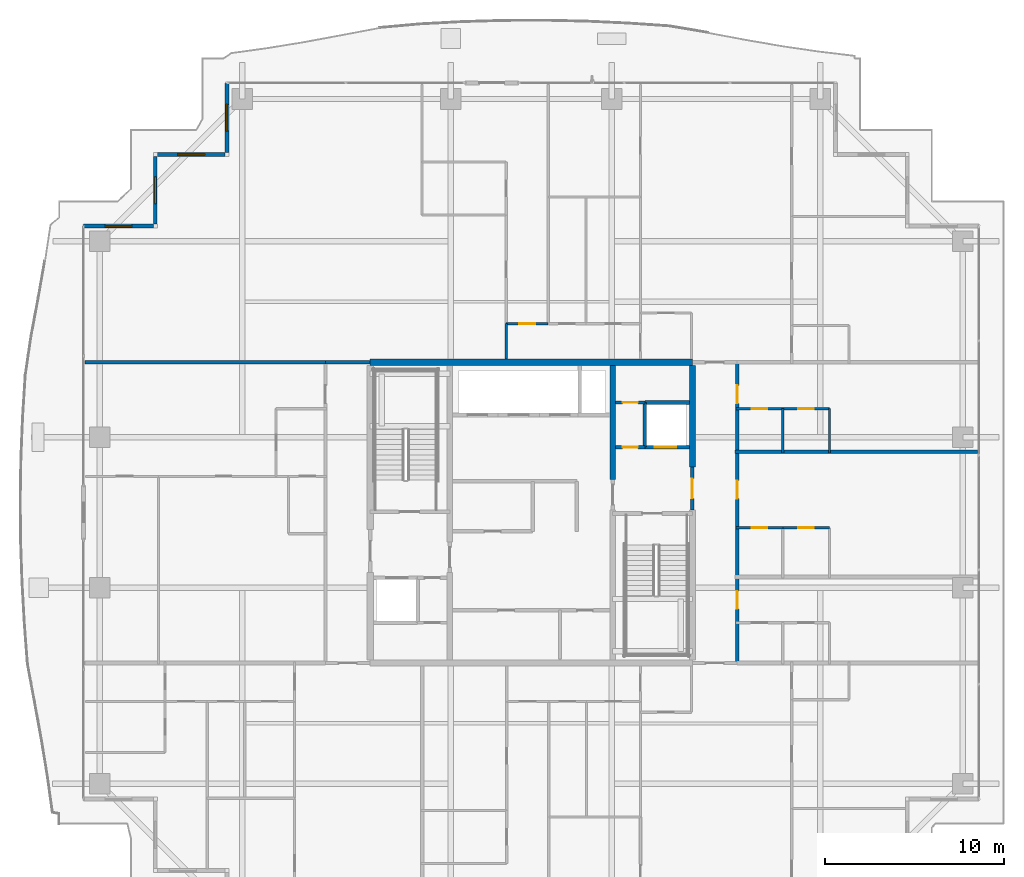
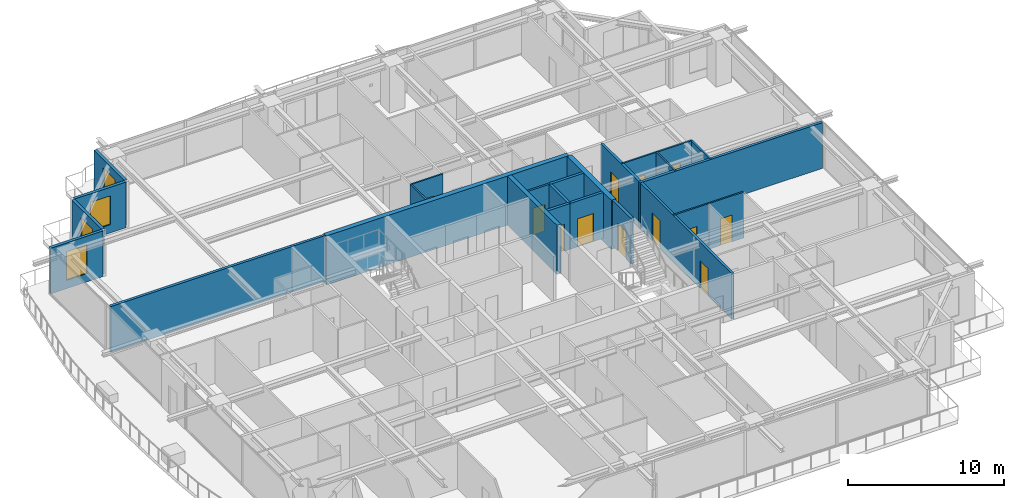
# One storey, part 30 of 40: 25 walls, 12 doors, 4 windows, 16 openings.
"""IFC4 building model written with IfcOpenShell, lengths in metres."""

from ifc_helpers import new_model, si_unit, direction, frame, frame_2d, origin, place, context, subcontext, project, spatial, rectangle, extrude, source, transform, mapped, material, layer, layer_set, type_object, element, fill, save


model = new_model("IFC4")

# Units and contexts
model_context = context("Model", 3, precision=1e-05, world=origin(), true_north=direction((0.0, 1.0)))
body_context = subcontext(model_context, "Body", "Model", "MODEL_VIEW")
ifc_project = project(units=[si_unit("LENGTHUNIT", "METRE"), si_unit("AREAUNIT", "SQUARE_METRE"), si_unit("VOLUMEUNIT", "CUBIC_METRE"), si_unit("PLANEANGLEUNIT", "RADIAN"), si_unit("MASSUNIT", "GRAM", prefix="KILO")], contexts=[model_context])

# Site, building, storey
site_placement = place(None, origin())
site = spatial("IfcSite", under=ifc_project, at=site_placement, CompositionType="ELEMENT")
building_placement = place(site_placement, origin())
building = spatial("IfcBuilding", under=site, at=building_placement, Name="Serunith Strait Residences", CompositionType="ELEMENT")
storey_placement = place(building_placement, frame((0.0, 0.0, 252.800048828125)))
storey = spatial("IfcBuildingStorey", under=building, at=storey_placement, Name="L63", CompositionType="ELEMENT", Elevation=252.800048828125)

# Wall, opening, window
ifc_material_1 = material(Name="Pale-Champagne Aluminium Insulated Panel", Category="aluminium")
ifc_layer_1 = layer(ifc_material_1, 0.219970703125, Name="Pale-Champagne Aluminium Insulated Panel")
ifc_layer_set_1 = layer_set([ifc_layer_1], Name="Pale-Champagne Aluminium Insulated Panel")
wall_type_1 = type_object("IfcWallType", Name="EW-ALUM-220", PredefinedType="ELEMENTEDWALL", material=ifc_layer_set_1)
wall_1_placement = place(storey_placement, frame((15.39990234375, 49.199951171875, 0.0), z_axis=(0.0, 0.0, 1.0), x_axis=(0.0, -1.0, 0.0)))
wall_1 = element("IfcWall", 1, at=wall_1_placement, inside=storey, type_object=wall_type_1, Name="L63 Girih Serrated Corner Wall 12", PredefinedType="ELEMENTEDWALL", context=body_context, shape_type="SweptSolid", body=[
    extrude(rectangle(XDim=3.889892578125, YDim=0.219970703125, at=frame_2d((1.94482421875, 0.0))), origin(), (0.0, 0.0, 1.0), 3.574951171875),
])
opening_1_placement = place(wall_1_placement, frame((1.195068359375, 0.0, 0.64990234375)))
opening_1 = element("IfcOpeningElement", 2, at=opening_1_placement, cuts=wall_1, Name="Opening W-05", PredefinedType="OPENING", context=body_context, shape_type="SweptSolid", body=[
    extrude(rectangle(XDim=1.5, YDim=2.25, at=frame_2d((0.75, 1.125))), frame((0.0, 0.1201171875, 0.0), z_axis=(0.0, -1.0, 0.0), x_axis=(1.0, 0.0, 0.0)), (0.0, 0.0, 1.0), 0.239990234375),
])
ifc_material_2 = material(Name="Ceramic-Fritted Operable Aluminium Window Glass", Category="aluminium")
window_type = type_object("IfcWindowType", Name="WIN-C5", PartitioningType="DOUBLE_PANEL_VERTICAL", PredefinedType="WINDOW", material=ifc_material_2)
shared_shape_1 = source(origin(), body_context, "Body", "SweptSolid", [
    extrude(rectangle(XDim=1.5, YDim=2.25, at=frame_2d((0.75, 1.125))), frame((0.0, 0.030029296875, 0.0), z_axis=(0.0, -1.0, 0.0), x_axis=(1.0, 0.0, 0.0)), (0.0, 0.0, 1.0), 0.06005859375),
])
window_1_placement = place(opening_1_placement, origin())
window_1 = element("IfcWindow", 3, at=window_1_placement, inside=storey, type_object=window_type, Name="L63 Corner Operable Fritted Window 12", OverallHeight=2.25, OverallWidth=1.5, PartitioningType="SINGLE_PANEL", PredefinedType="WINDOW", context=body_context, shape_type="MappedRepresentation", body=[
    mapped(shared_shape_1, transform((0.0, 0.0, 0.0), scale=1.0)),
])
fill(opening_1, window_1)

wall_2_placement = place(storey_placement, frame((15.2900390625, 45.199951171875, 0.0), z_axis=(0.0, 0.0, 1.0), x_axis=(-1.0, 0.0, 0.0)))
wall_2 = element("IfcWall", 4, at=wall_2_placement, inside=storey, type_object=wall_type_1, Name="L63 Girih Serrated Corner Wall 13", PredefinedType="ELEMENTEDWALL", context=body_context, shape_type="SweptSolid", body=[
    extrude(rectangle(XDim=3.780029296875, YDim=0.219970703125, at=frame_2d((1.89013671875, 0.0))), origin(), (0.0, 0.0, 1.0), 3.574951171875),
])
opening_2_placement = place(wall_2_placement, frame((1.139892578125, 0.0, 0.64990234375)))
opening_2 = element("IfcOpeningElement", 5, at=opening_2_placement, cuts=wall_2, Name="Opening W-05", PredefinedType="OPENING", context=body_context, shape_type="SweptSolid", body=[
    extrude(rectangle(XDim=1.5, YDim=2.25, at=frame_2d((0.75, 1.125))), frame((0.0, 0.1201171875, 0.0), z_axis=(0.0, -1.0, 0.0), x_axis=(1.0, 0.0, 0.0)), (0.0, 0.0, 1.0), 0.239990234375),
])
window_2_placement = place(opening_2_placement, origin())
window_2 = element("IfcWindow", 6, at=window_2_placement, inside=storey, type_object=window_type, Name="L63 Corner Operable Fritted Window 13", OverallHeight=2.25, OverallWidth=1.5, PartitioningType="SINGLE_PANEL", PredefinedType="WINDOW", context=body_context, shape_type="MappedRepresentation", body=[
    mapped(shared_shape_1, transform((0.0, 0.0, 0.0), scale=1.0)),
])
fill(opening_2, window_2)

wall_3_placement = place(storey_placement, frame((11.39990234375, 45.090087890625, 0.0), z_axis=(0.0, 0.0, 1.0), x_axis=(0.0, -1.0, 0.0)))
wall_3 = element("IfcWall", 7, at=wall_3_placement, inside=storey, type_object=wall_type_1, Name="L63 Girih Serrated Corner Wall 14", PredefinedType="ELEMENTEDWALL", context=body_context, shape_type="SweptSolid", body=[
    extrude(rectangle(XDim=3.780029296875, YDim=0.219970703125, at=frame_2d((1.89013671875, 0.0))), origin(), (0.0, 0.0, 1.0), 3.574951171875),
])
opening_3_placement = place(wall_3_placement, frame((1.139892578125, 0.0, 0.64990234375)))
opening_3 = element("IfcOpeningElement", 8, at=opening_3_placement, cuts=wall_3, Name="Opening W-05", PredefinedType="OPENING", context=body_context, shape_type="SweptSolid", body=[
    extrude(rectangle(XDim=1.5, YDim=2.25, at=frame_2d((0.75, 1.125))), frame((0.0, 0.1201171875, 0.0), z_axis=(0.0, -1.0, 0.0), x_axis=(1.0, 0.0, 0.0)), (0.0, 0.0, 1.0), 0.239990234375),
])
window_3_placement = place(opening_3_placement, origin())
window_3 = element("IfcWindow", 9, at=window_3_placement, inside=storey, type_object=window_type, Name="L63 Corner Operable Fritted Window 14", OverallHeight=2.25, OverallWidth=1.5, PartitioningType="SINGLE_PANEL", PredefinedType="WINDOW", context=body_context, shape_type="MappedRepresentation", body=[
    mapped(shared_shape_1, transform((0.0, 0.0, 0.0), scale=1.0)),
])
fill(opening_3, window_3)

wall_4_placement = place(storey_placement, frame((11.2900390625, 41.199951171875, 0.0), z_axis=(0.0, 0.0, 1.0), x_axis=(-1.0, 0.0, 0.0)))
wall_4 = element("IfcWall", 10, at=wall_4_placement, inside=storey, type_object=wall_type_1, Name="L63 Girih Serrated Corner Wall 15", PredefinedType="ELEMENTEDWALL", context=body_context, shape_type="SweptSolid", body=[
    extrude(rectangle(XDim=3.89013671875, YDim=0.219970703125, at=frame_2d((1.945068359375, 0.0))), origin(), (0.0, 0.0, 1.0), 3.574951171875),
])
opening_4_placement = place(wall_4_placement, frame((1.195068359375, 0.0, 0.64990234375)))
opening_4 = element("IfcOpeningElement", 11, at=opening_4_placement, cuts=wall_4, Name="Opening W-05", PredefinedType="OPENING", context=body_context, shape_type="SweptSolid", body=[
    extrude(rectangle(XDim=1.5, YDim=2.25, at=frame_2d((0.75, 1.125))), frame((0.0, 0.1201171875, 0.0), z_axis=(0.0, -1.0, 0.0), x_axis=(1.0, 0.0, 0.0)), (0.0, 0.0, 1.0), 0.239990234375),
])
window_4_placement = place(opening_4_placement, origin())
window_4 = element("IfcWindow", 12, at=window_4_placement, inside=storey, type_object=window_type, Name="L63 Corner Operable Fritted Window 15", OverallHeight=2.25, OverallWidth=1.5, PartitioningType="SINGLE_PANEL", PredefinedType="WINDOW", context=body_context, shape_type="MappedRepresentation", body=[
    mapped(shared_shape_1, transform((0.0, 0.0, 0.0), scale=1.0)),
])
fill(opening_4, window_4)

# Wall, opening, door
ifc_material_3 = material(Name="Fire-rated masonry service closet wall", Category="masonry")
ifc_layer_2 = layer(ifc_material_3, 0.14990234375, Name="Fire-rated masonry service closet wall")
ifc_layer_set_2 = layer_set([ifc_layer_2], Name="Fire-rated masonry service closet wall")
wall_type_2 = type_object("IfcWallType", Name="IW-BOH-150", PredefinedType="PARTITIONING", material=ifc_layer_set_2)
wall_5_placement = place(storey_placement, frame((37.10009765625, 31.35009765625, 0.0), z_axis=(0.0, 0.0, 1.0), x_axis=(1.0, 0.0, 0.0)))
wall_5 = element("IfcWall", 13, at=wall_5_placement, inside=storey, type_object=wall_type_2, Name="L63 Partition Wall 012", PredefinedType="PARTITIONING", context=body_context, shape_type="SweptSolid", body=[
    extrude(rectangle(XDim=1.64794921875, YDim=0.14990234375, at=frame_2d((0.823974609375, 0.0))), origin(), (0.0, 0.0, 1.0), 3.58984375),
])
opening_5_placement = place(wall_5_placement, frame((0.39892578125, 0.0, 0.0)))
opening_5 = element("IfcOpeningElement", 14, at=opening_5_placement, cuts=wall_5, Name="Opening FD-850", PredefinedType="OPENING", context=body_context, shape_type="SweptSolid", body=[
    extrude(rectangle(XDim=0.85009765625, YDim=2.10009765625, at=frame_2d((0.425048828125, 1.050048828125))), frame((0.0, 0.0849609375, 0.0), z_axis=(0.0, -1.0, 0.0), x_axis=(1.0, 0.0, 0.0)), (0.0, 0.0, 1.0), 0.169921875),
])
ifc_material_4 = material(Name="Powder-coated steel service closet door", Category="steel")
door_type_1 = type_object("IfcDoorType", Name="FD-BOH-850", OperationType="NOTDEFINED", PredefinedType="DOOR", material=ifc_material_4)
shared_shape_2 = source(origin(), body_context, "Body", "SweptSolid", [
    extrude(rectangle(XDim=0.85009765625, YDim=2.10009765625, at=frame_2d((0.425048828125, 1.050048828125))), frame((0.0, 0.02490234375, 0.0), z_axis=(0.0, -1.0, 0.0), x_axis=(1.0, 0.0, 0.0)), (0.0, 0.0, 1.0), 0.050048828125),
])
door_1_placement = place(opening_5_placement, origin())
door_1 = element("IfcDoor", 15, at=door_1_placement, inside=storey, type_object=door_type_1, Name="L63 Refuse Store Door", OperationType="SINGLE_SWING_LEFT", OverallHeight=2.10009765625, OverallWidth=0.85009765625, PredefinedType="DOOR", context=body_context, shape_type="MappedRepresentation", body=[
    mapped(shared_shape_2, transform((0.0, 0.0, 0.0), scale=1.0)),
])
fill(opening_5, door_1)

# Wall
ifc_material_5 = material(Name="Fire-rated acoustic gypsum partition")
ifc_layer_3 = layer(ifc_material_5, 0.179931640625, Name="Fire-rated acoustic gypsum partition")
ifc_layer_set_3 = layer_set([ifc_layer_3], Name="Fire-rated acoustic gypsum partition")
wall_type_3 = type_object("IfcWallType", Name="IW-CORR-180", PredefinedType="PARTITIONING", material=ifc_layer_set_3)
wall_6_placement = place(storey_placement, frame((20.902099609375, 33.60009765625, 0.0), z_axis=(0.0, 0.0, 1.0), x_axis=(1.0, 0.0, 0.0)))
element("IfcWall", 16, at=wall_6_placement, inside=storey, type_object=wall_type_3, Name="L63 Partition Wall 028", PredefinedType="PARTITIONING", context=body_context, shape_type="SweptSolid", body=[
    extrude(rectangle(XDim=2.495849609375, YDim=0.179931640625, at=frame_2d((1.248046875, 0.0))), origin(), (0.0, 0.0, 1.0), 3.58984375),
])

# Wall, openings, doors
wall_7_placement = place(storey_placement, frame((43.89990234375, 16.800048828125, 0.0), z_axis=(0.0, 0.0, 1.0), x_axis=(0.0, 1.0, 0.0)))
wall_7 = element("IfcWall", 17, at=wall_7_placement, inside=storey, type_object=wall_type_3, Name="L63 Partition Wall 032", PredefinedType="PARTITIONING", context=body_context, shape_type="SweptSolid", body=[
    extrude(rectangle(XDim=16.800048828125, YDim=0.179931640625, at=frame_2d((8.39990234375, 0.0))), origin(), (0.0, 0.0, 1.0), 3.58984375),
])
opening_6_placement = place(wall_7_placement, frame((3.01806640625, 0.0, 0.0)))
opening_6 = element("IfcOpeningElement", 18, at=opening_6_placement, cuts=wall_7, Name="Opening D-APT1000", PredefinedType="OPENING", context=body_context, shape_type="SweptSolid", body=[
    extrude(rectangle(XDim=1.0, YDim=2.14990234375, at=frame_2d((0.5, 1.074951171875))), frame((0.0, 0.10009765625, 0.0), z_axis=(0.0, -1.0, 0.0), x_axis=(1.0, 0.0, 0.0)), (0.0, 0.0, 1.0), 0.199951171875),
])
opening_7_placement = place(wall_7_placement, frame((9.179931640625, 0.0, 0.0)))
opening_7 = element("IfcOpeningElement", 19, at=opening_7_placement, cuts=wall_7, Name="Opening D-APT1000", PredefinedType="OPENING", context=body_context, shape_type="SweptSolid", body=[
    extrude(rectangle(XDim=1.0, YDim=2.14990234375, at=frame_2d((0.5, 1.074951171875))), frame((0.0, 0.10009765625, 0.0), z_axis=(0.0, -1.0, 0.0), x_axis=(1.0, 0.0, 0.0)), (0.0, 0.0, 1.0), 0.199951171875),
])
opening_8_placement = place(wall_7_placement, frame((14.5, 0.0, 0.0)))
opening_8 = element("IfcOpeningElement", 20, at=opening_8_placement, cuts=wall_7, Name="Opening D-APT1000", PredefinedType="OPENING", context=body_context, shape_type="SweptSolid", body=[
    extrude(rectangle(XDim=1.0, YDim=2.14990234375, at=frame_2d((0.5, 1.074951171875))), frame((0.0, 0.10009765625, 0.0), z_axis=(0.0, -1.0, 0.0), x_axis=(1.0, 0.0, 0.0)), (0.0, 0.0, 1.0), 0.199951171875),
])
ifc_material_6 = material(Name="Solid timber engineered fire door", Category="wood")
door_type_2 = type_object("IfcDoorType", Name="ID-APT-1000", OperationType="NOTDEFINED", PredefinedType="DOOR", material=ifc_material_6)
shared_shape_3 = source(origin(), body_context, "Body", "SweptSolid", [
    extrude(rectangle(XDim=1.0, YDim=2.14990234375, at=frame_2d((0.5, 1.074951171875))), frame((0.0, 0.02490234375, 0.0), z_axis=(0.0, -1.0, 0.0), x_axis=(1.0, 0.0, 0.0)), (0.0, 0.0, 1.0), 0.050048828125),
])
door_2_placement = place(opening_6_placement, origin())
door_2 = element("IfcDoor", 21, at=door_2_placement, inside=storey, type_object=door_type_2, Name="L63 Unit 05 Entrance Door", OperationType="SINGLE_SWING_LEFT", OverallHeight=2.14990234375, OverallWidth=1.0, PredefinedType="DOOR", context=body_context, shape_type="MappedRepresentation", body=[
    mapped(shared_shape_3, transform((0.0, 0.0, 0.0), scale=1.0)),
])
fill(opening_6, door_2)
door_3_placement = place(opening_7_placement, origin())
door_3 = element("IfcDoor", 22, at=door_3_placement, inside=storey, type_object=door_type_2, Name="L63 Unit 06 Entrance Door", OperationType="SINGLE_SWING_RIGHT", OverallHeight=2.14990234375, OverallWidth=1.0, PredefinedType="DOOR", context=body_context, shape_type="MappedRepresentation", body=[
    mapped(shared_shape_3, transform((0.0, 0.0, 0.0), scale=1.0)),
])
fill(opening_7, door_3)
door_4_placement = place(opening_8_placement, origin())
door_4 = element("IfcDoor", 23, at=door_4_placement, inside=storey, type_object=door_type_2, Name="L63 Unit 07 Entrance Door", OperationType="SINGLE_SWING_LEFT", OverallHeight=2.14990234375, OverallWidth=1.0, PredefinedType="DOOR", context=body_context, shape_type="MappedRepresentation", body=[
    mapped(shared_shape_3, transform((0.0, 0.0, 0.0), scale=1.0)),
])
fill(opening_8, door_4)

# Wall, opening, door
ifc_material_7 = material(Name="Lightweight steel-stud gypsum partition", Category="steel")
ifc_layer_4 = layer(ifc_material_7, 0.1201171875, Name="Lightweight steel-stud gypsum partition")
ifc_layer_set_4 = layer_set([ifc_layer_4], Name="Lightweight steel-stud gypsum partition")
wall_type_4 = type_object("IfcWallType", Name="IW-PART-120", PredefinedType="PARTITIONING", material=ifc_layer_set_4)
wall_8_placement = place(storey_placement, frame((31.0, 35.75, 0.0), z_axis=(0.0, 0.0, 1.0), x_axis=(1.0, 0.0, 0.0)))
wall_8 = element("IfcWall", 24, at=wall_8_placement, inside=storey, type_object=wall_type_4, Name="L63 Partition Wall 078", PredefinedType="PARTITIONING", context=body_context, shape_type="SweptSolid", body=[
    extrude(rectangle(XDim=2.347900390625, YDim=0.1201171875, at=frame_2d((1.173828125, 0.0))), origin(), (0.0, 0.0, 1.0), 3.58984375),
])
opening_9_placement = place(wall_8_placement, frame((0.72412109375, 0.0, 0.0)))
opening_9 = element("IfcOpeningElement", 25, at=opening_9_placement, cuts=wall_8, Name="Opening D-RM900", PredefinedType="OPENING", context=body_context, shape_type="SweptSolid", body=[
    extrude(rectangle(XDim=0.89990234375, YDim=2.10009765625, at=frame_2d((0.449951171875, 1.050048828125))), frame((0.0, 0.070068359375, 0.0), z_axis=(0.0, -1.0, 0.0), x_axis=(1.0, 0.0, 0.0)), (0.0, 0.0, 1.0), 0.14013671875),
])
ifc_material_8 = material(Name="Engineered timber flush bedroom door", Category="wood")
door_type_3 = type_object("IfcDoorType", Name="ID-ROOM-900", OperationType="NOTDEFINED", PredefinedType="DOOR", material=ifc_material_8)
shared_shape_4 = source(origin(), body_context, "Body", "SweptSolid", [
    extrude(rectangle(XDim=0.89990234375, YDim=2.10009765625, at=frame_2d((0.449951171875, 1.050048828125))), frame((0.0, 0.02490234375, 0.0), z_axis=(0.0, -1.0, 0.0), x_axis=(1.0, 0.0, 0.0)), (0.0, 0.0, 1.0), 0.050048828125),
])
door_5_placement = place(opening_9_placement, origin())
door_5 = element("IfcDoor", 26, at=door_5_placement, inside=storey, type_object=door_type_3, Name="L63 Master Bedroom W 6303 Door", OperationType="SINGLE_SWING_LEFT", OverallHeight=2.10009765625, OverallWidth=0.89990234375, PredefinedType="DOOR", context=body_context, shape_type="MappedRepresentation", body=[
    mapped(shared_shape_4, transform((0.0, 0.0, 0.0), scale=1.0)),
])
fill(opening_9, door_5)

# Wall
wall_9_placement = place(storey_placement, frame((31.0, 35.748046875, 0.0), z_axis=(0.0, 0.0, 1.0), x_axis=(0.0, -1.0, 0.0)))
element("IfcWall", 27, at=wall_9_placement, inside=storey, type_object=wall_type_4, Name="L63 Partition Wall 084", PredefinedType="PARTITIONING", context=body_context, shape_type="SweptSolid", body=[
    extrude(rectangle(XDim=1.97314453125, YDim=0.1201171875, at=frame_2d((0.986572265625, 0.0))), origin(), (0.0, 0.0, 1.0), 3.58984375),
])

# Wall, opening, door
wall_10_placement = place(storey_placement, frame((49.050048828125, 24.35009765625, 0.0), z_axis=(0.0, 0.0, 1.0), x_axis=(-1.0, 0.0, 0.0)))
wall_10 = element("IfcWall", 28, at=wall_10_placement, inside=storey, type_object=wall_type_4, Name="L63 Partition Wall 103", PredefinedType="PARTITIONING", context=body_context, shape_type="SweptSolid", body=[
    extrude(rectangle(XDim=2.60009765625, YDim=0.1201171875, at=frame_2d((1.300048828125, 0.0))), origin(), (0.0, 0.0, 1.0), 3.58984375),
])
opening_10_placement = place(wall_10_placement, frame((0.875, 0.0, 0.0)))
opening_10 = element("IfcOpeningElement", 29, at=opening_10_placement, cuts=wall_10, Name="Opening D-RM850", PredefinedType="OPENING", context=body_context, shape_type="SweptSolid", body=[
    extrude(rectangle(XDim=0.85009765625, YDim=2.10009765625, at=frame_2d((0.425048828125, 1.050048828125))), frame((0.0, 0.070068359375, 0.0), z_axis=(0.0, -1.0, 0.0), x_axis=(1.0, 0.0, 0.0)), (0.0, 0.0, 1.0), 0.14013671875),
])
ifc_material_9 = material(Name="Engineered timber flush study and kitchen door", Category="wood")
door_type_4 = type_object("IfcDoorType", Name="ID-ROOM-850", OperationType="NOTDEFINED", PredefinedType="DOOR", material=ifc_material_9)
door_6_placement = place(opening_10_placement, origin())
door_6 = element("IfcDoor", 30, at=door_6_placement, inside=storey, type_object=door_type_4, Name="L63 Kitchen 6306 Door", OperationType="SINGLE_SWING_LEFT", OverallHeight=2.10009765625, OverallWidth=0.85009765625, PredefinedType="DOOR", context=body_context, shape_type="MappedRepresentation", body=[
    mapped(shared_shape_2, transform((0.0, 0.0, 0.0), scale=1.0)),
])
fill(opening_10, door_6)

wall_11_placement = place(storey_placement, frame((46.447998046875, 24.35009765625, 0.0), z_axis=(0.0, 0.0, 1.0), x_axis=(-1.0, 0.0, 0.0)))
wall_11 = element("IfcWall", 31, at=wall_11_placement, inside=storey, type_object=wall_type_4, Name="L63 Partition Wall 104", PredefinedType="PARTITIONING", context=body_context, shape_type="SweptSolid", body=[
    extrude(rectangle(XDim=2.60791015625, YDim=0.1201171875, at=frame_2d((1.303955078125, 0.0))), origin(), (0.0, 0.0, 1.0), 3.58984375),
])
opening_11_placement = place(wall_11_placement, frame((0.87890625, 0.0, 0.0)))
opening_11 = element("IfcOpeningElement", 32, at=opening_11_placement, cuts=wall_11, Name="Opening D-BTH850", PredefinedType="OPENING", context=body_context, shape_type="SweptSolid", body=[
    extrude(rectangle(XDim=0.85009765625, YDim=2.10009765625, at=frame_2d((0.425048828125, 1.050048828125))), frame((0.0, 0.070068359375, 0.0), z_axis=(0.0, -1.0, 0.0), x_axis=(1.0, 0.0, 0.0)), (0.0, 0.0, 1.0), 0.14013671875),
])
ifc_material_10 = material(Name="Moisture-resistant timber bathroom door", Category="wood")
door_type_5 = type_object("IfcDoorType", Name="ID-BATH-850", OperationType="NOTDEFINED", PredefinedType="DOOR", material=ifc_material_10)
door_7_placement = place(opening_11_placement, origin())
door_7 = element("IfcDoor", 33, at=door_7_placement, inside=storey, type_object=door_type_5, Name="L63 Bathroom 6306 Door", OperationType="SINGLE_SWING_RIGHT", OverallHeight=2.10009765625, OverallWidth=0.85009765625, PredefinedType="DOOR", context=body_context, shape_type="MappedRepresentation", body=[
    mapped(shared_shape_2, transform((0.0, 0.0, 0.0), scale=1.0)),
])
fill(opening_11, door_7)

wall_12_placement = place(storey_placement, frame((49.050048828125, 31.0, 0.0), z_axis=(0.0, 0.0, 1.0), x_axis=(-1.0, 0.0, 0.0)))
wall_12 = element("IfcWall", 34, at=wall_12_placement, inside=storey, type_object=wall_type_4, Name="L63 Partition Wall 107", PredefinedType="PARTITIONING", context=body_context, shape_type="SweptSolid", body=[
    extrude(rectangle(XDim=2.60009765625, YDim=0.1201171875, at=frame_2d((1.300048828125, 0.0))), origin(), (0.0, 0.0, 1.0), 3.58984375),
])
opening_12_placement = place(wall_12_placement, frame((0.875, 0.0, 0.0)))
opening_12 = element("IfcOpeningElement", 35, at=opening_12_placement, cuts=wall_12, Name="Opening D-RM850", PredefinedType="OPENING", context=body_context, shape_type="SweptSolid", body=[
    extrude(rectangle(XDim=0.85009765625, YDim=2.10009765625, at=frame_2d((0.425048828125, 1.050048828125))), frame((0.0, 0.070068359375, 0.0), z_axis=(0.0, -1.0, 0.0), x_axis=(1.0, 0.0, 0.0)), (0.0, 0.0, 1.0), 0.14013671875),
])
door_8_placement = place(opening_12_placement, origin())
door_8 = element("IfcDoor", 36, at=door_8_placement, inside=storey, type_object=door_type_4, Name="L63 Kitchen 6307 Door", OperationType="SINGLE_SWING_LEFT", OverallHeight=2.10009765625, OverallWidth=0.85009765625, PredefinedType="DOOR", context=body_context, shape_type="MappedRepresentation", body=[
    mapped(shared_shape_2, transform((0.0, 0.0, 0.0), scale=1.0)),
])
fill(opening_12, door_8)

wall_13_placement = place(storey_placement, frame((46.447998046875, 31.0, 0.0), z_axis=(0.0, 0.0, 1.0), x_axis=(-1.0, 0.0, 0.0)))
wall_13 = element("IfcWall", 37, at=wall_13_placement, inside=storey, type_object=wall_type_4, Name="L63 Partition Wall 108", PredefinedType="PARTITIONING", context=body_context, shape_type="SweptSolid", body=[
    extrude(rectangle(XDim=2.60791015625, YDim=0.1201171875, at=frame_2d((1.303955078125, 0.0))), origin(), (0.0, 0.0, 1.0), 3.58984375),
])
opening_13_placement = place(wall_13_placement, frame((0.87890625, 0.0, 0.0)))
opening_13 = element("IfcOpeningElement", 38, at=opening_13_placement, cuts=wall_13, Name="Opening D-BTH850", PredefinedType="OPENING", context=body_context, shape_type="SweptSolid", body=[
    extrude(rectangle(XDim=0.85009765625, YDim=2.10009765625, at=frame_2d((0.425048828125, 1.050048828125))), frame((0.0, 0.070068359375, 0.0), z_axis=(0.0, -1.0, 0.0), x_axis=(1.0, 0.0, 0.0)), (0.0, 0.0, 1.0), 0.14013671875),
])
door_9_placement = place(opening_13_placement, origin())
door_9 = element("IfcDoor", 39, at=door_9_placement, inside=storey, type_object=door_type_5, Name="L63 Bathroom 6307 Door", OperationType="SINGLE_SWING_RIGHT", OverallHeight=2.10009765625, OverallWidth=0.85009765625, PredefinedType="DOOR", context=body_context, shape_type="MappedRepresentation", body=[
    mapped(shared_shape_2, transform((0.0, 0.0, 0.0), scale=1.0)),
])
fill(opening_13, door_9)

# Walls
for number, where, z_axis, x_axis, name in (
    (40, (46.449951171875, 28.5400390625, 0.0), (0.0, 0.0, 1.0), (0.0, 1.0, 0.0), "L63 Partition Wall 109"),
    (41, (49.050048828125, 28.5400390625, 0.0), (0.0, 0.0, 1.0), (0.0, 1.0, 0.0), "L63 Partition Wall 110"),
):
    element("IfcWall", number, at=place(storey_placement, frame(where, z_axis=z_axis, x_axis=x_axis)), inside=storey, type_object=wall_type_4, Name=name, PredefinedType="PARTITIONING", context=body_context, shape_type="SweptSolid", body=[
        extrude(rectangle(XDim=2.4599609375, YDim=0.1201171875, at=frame_2d((1.22998046875, 0.0))), origin(), (0.0, 0.0, 1.0), 3.58984375),
    ])
ifc_material_11 = material(Name="Twin-stud acoustic gypsum board partition")
ifc_layer_5 = layer(ifc_material_11, 0.199951171875, Name="Twin-stud acoustic gypsum board partition")
ifc_layer_set_5 = layer_set([ifc_layer_5], Name="Twin-stud acoustic gypsum board partition")
wall_type_5 = type_object("IfcWallType", Name="IW-PARTY-200", PredefinedType="PARTITIONING", material=ifc_layer_set_5)
wall_14_placement = place(storey_placement, frame((43.780029296875, 28.60009765625, 0.0), z_axis=(0.0, 0.0, 1.0), x_axis=(1.0, 0.0, 0.0)))
element("IfcWall", 42, at=wall_14_placement, inside=storey, type_object=wall_type_5, Name="L63 Partition Wall 022", PredefinedType="PARTITIONING", context=body_context, shape_type="SweptSolid", body=[
    extrude(rectangle(XDim=13.5380859375, YDim=0.199951171875, at=frame_2d((6.76904296875, 0.0))), origin(), (0.0, 0.0, 1.0), 3.58984375),
])
wall_15_placement = place(storey_placement, frame((7.48193359375, 33.60009765625, 0.0), z_axis=(0.0, 0.0, 1.0), x_axis=(1.0, 0.0, 0.0)))
element("IfcWall", 43, at=wall_15_placement, inside=storey, type_object=wall_type_5, Name="L63 Partition Wall 025", PredefinedType="PARTITIONING", context=body_context, shape_type="SweptSolid", body=[
    extrude(rectangle(XDim=13.41796875, YDim=0.199951171875, at=frame_2d((6.708984375, 0.0))), origin(), (0.0, 0.0, 1.0), 3.58984375),
])

# Wall, opening, door
ifc_material_12 = material(Name="Autoclaved aerated concrete blockwork", Category="masonry")
ifc_layer_6 = layer(ifc_material_12, 0.199951171875, Name="Autoclaved aerated concrete blockwork")
ifc_layer_set_6 = layer_set([ifc_layer_6], Name="Autoclaved aerated concrete blockwork")
wall_type_6 = type_object("IfcWallType", Name="IW-SHAFT-200", PredefinedType="STANDARD", material=ifc_layer_set_6)
wall_16_placement = place(storey_placement, frame((38.75, 28.85009765625, 0.0), z_axis=(0.0, 0.0, 1.0), x_axis=(1.0, 0.0, 0.0)))
wall_16 = element("IfcWall", 44, at=wall_16_placement, inside=storey, type_object=wall_type_6, Name="L63 FL-2 South Shaft Wall", PredefinedType="STANDARD", context=body_context, shape_type="SweptSolid", body=[
    extrude(rectangle(XDim=2.47509765625, YDim=0.199951171875, at=frame_2d((1.237548828125, 0.0))), origin(), (0.0, 0.0, 1.0), 3.58984375),
])
opening_14_placement = place(wall_16_placement, frame((0.550048828125, 0.0, 0.0)))
opening_14 = element("IfcOpeningElement", 45, at=opening_14_placement, cuts=wall_16, Name="Opening LD-FF1200", PredefinedType="OPENING", context=body_context, shape_type="SweptSolid", body=[
    extrude(rectangle(XDim=1.199951171875, YDim=2.199951171875, at=frame_2d((0.60009765625, 1.10009765625))), frame((0.0, 0.10986328125, 0.0), z_axis=(0.0, -1.0, 0.0), x_axis=(1.0, 0.0, 0.0)), (0.0, 0.0, 1.0), 0.219970703125),
])
ifc_material_13 = material(Name="Brushed stainless steel landing door", Category="steel")
door_type_6 = type_object("IfcDoorType", Name="LD-FF-1200", OperationType="DOUBLE_DOOR_SLIDING", PredefinedType="DOOR", material=ifc_material_13)
shared_shape_5 = source(origin(), body_context, "Body", "SweptSolid", [
    extrude(rectangle(XDim=1.199951171875, YDim=2.199951171875, at=frame_2d((0.60009765625, 1.10009765625))), frame((0.0, 0.02490234375, 0.0), z_axis=(0.0, -1.0, 0.0), x_axis=(1.0, 0.0, 0.0)), (0.0, 0.0, 1.0), 0.050048828125),
])
door_10_placement = place(opening_14_placement, origin())
door_10 = element("IfcDoor", 46, at=door_10_placement, inside=storey, type_object=door_type_6, Name="L63 FL-2 Landing Door", OperationType="DOUBLE_DOOR_SLIDING", OverallHeight=2.199951171875, OverallWidth=1.199951171875, PredefinedType="DOOR", context=body_context, shape_type="MappedRepresentation", body=[
    mapped(shared_shape_5, transform((0.0, 0.0, 0.0), scale=1.0)),
])
fill(opening_14, door_10)

# Walls
wall_17_placement = place(storey_placement, frame((38.75, 28.85009765625, 0.0), z_axis=(0.0, 0.0, 1.0), x_axis=(0.0, 1.0, 0.0)))
element("IfcWall", 47, at=wall_17_placement, inside=storey, type_object=wall_type_6, Name="L63 Partition Wall 004", PredefinedType="STANDARD", context=body_context, shape_type="SweptSolid", body=[
    extrude(rectangle(XDim=2.5, YDim=0.199951171875, at=frame_2d((1.25, 0.0))), origin(), (0.0, 0.0, 1.0), 3.58984375),
])
wall_18_placement = place(storey_placement, frame((38.75, 31.35009765625, 0.0), z_axis=(0.0, 0.0, 1.0), x_axis=(1.0, 0.0, 0.0)))
element("IfcWall", 48, at=wall_18_placement, inside=storey, type_object=wall_type_6, Name="L63 Partition Wall 005", PredefinedType="STANDARD", context=body_context, shape_type="SweptSolid", body=[
    extrude(rectangle(XDim=2.47509765625, YDim=0.199951171875, at=frame_2d((1.237548828125, 0.0))), origin(), (0.0, 0.0, 1.0), 3.58984375),
])

# Wall, opening, door
wall_19_placement = place(storey_placement, frame((37.10009765625, 28.85009765625, 0.0), z_axis=(0.0, 0.0, 1.0), x_axis=(1.0, 0.0, 0.0)))
wall_19 = element("IfcWall", 49, at=wall_19_placement, inside=storey, type_object=wall_type_6, Name="L63 Partition Wall 006", PredefinedType="STANDARD", context=body_context, shape_type="SweptSolid", body=[
    extrude(rectangle(XDim=1.64794921875, YDim=0.199951171875, at=frame_2d((0.823974609375, 0.0))), origin(), (0.0, 0.0, 1.0), 3.58984375),
])
opening_15_placement = place(wall_19_placement, frame((0.39892578125, 0.0, 0.0)))
opening_15 = element("IfcOpeningElement", 50, at=opening_15_placement, cuts=wall_19, Name="Opening FD-850", PredefinedType="OPENING", context=body_context, shape_type="SweptSolid", body=[
    extrude(rectangle(XDim=0.85009765625, YDim=2.10009765625, at=frame_2d((0.425048828125, 1.050048828125))), frame((0.0, 0.10986328125, 0.0), z_axis=(0.0, -1.0, 0.0), x_axis=(1.0, 0.0, 0.0)), (0.0, 0.0, 1.0), 0.219970703125),
])
door_11_placement = place(opening_15_placement, origin())
door_11 = element("IfcDoor", 51, at=door_11_placement, inside=storey, type_object=door_type_1, Name="L63 North-East Core Service Door", OperationType="SINGLE_SWING_LEFT", OverallHeight=2.10009765625, OverallWidth=0.85009765625, PredefinedType="DOOR", context=body_context, shape_type="MappedRepresentation", body=[
    mapped(shared_shape_2, transform((0.0, 0.0, 0.0), scale=1.0)),
])
fill(opening_15, door_11)

wall_20_placement = place(storey_placement, frame((41.39990234375, 25.35205078125, 0.0), z_axis=(0.0, 0.0, 1.0), x_axis=(0.0, 1.0, 0.0)))
wall_20 = element("IfcWall", 52, at=wall_20_placement, inside=storey, type_object=wall_type_6, Name="L63 Partition Wall 008", PredefinedType="STANDARD", context=body_context, shape_type="SweptSolid", body=[
    extrude(rectangle(XDim=2.39599609375, YDim=0.199951171875, at=frame_2d((1.197998046875, 0.0))), origin(), (0.0, 0.0, 1.0), 3.58984375),
])
opening_16_placement = place(wall_20_placement, frame((0.64794921875, 0.0, 0.0)))
opening_16 = element("IfcOpeningElement", 53, at=opening_16_placement, cuts=wall_20, Name="Opening FD-FFL", PredefinedType="OPENING", context=body_context, shape_type="SweptSolid", body=[
    extrude(rectangle(XDim=1.10009765625, YDim=2.14990234375, at=frame_2d((0.550048828125, 1.074951171875))), frame((0.0, 0.10986328125, 0.0), z_axis=(0.0, -1.0, 0.0), x_axis=(1.0, 0.0, 0.0)), (0.0, 0.0, 1.0), 0.219970703125),
])
ifc_material_14 = material(Name="Glazed steel smoke-lobby fire door", Category="steel")
door_type_7 = type_object("IfcDoorType", Name="FD-FFL-1100", OperationType="NOTDEFINED", PredefinedType="DOOR", material=ifc_material_14)
shared_shape_6 = source(origin(), body_context, "Body", "SweptSolid", [
    extrude(rectangle(XDim=1.10009765625, YDim=2.14990234375, at=frame_2d((0.550048828125, 1.074951171875))), frame((0.0, 0.02490234375, 0.0), z_axis=(0.0, -1.0, 0.0), x_axis=(1.0, 0.0, 0.0)), (0.0, 0.0, 1.0), 0.050048828125),
])
door_12_placement = place(opening_16_placement, origin())
door_12 = element("IfcDoor", 54, at=door_12_placement, inside=storey, type_object=door_type_7, Name="L63 FFL-2 Corridor Fire Door", OperationType="SINGLE_SWING_LEFT", OverallHeight=2.14990234375, OverallWidth=1.10009765625, PredefinedType="DOOR", context=body_context, shape_type="MappedRepresentation", body=[
    mapped(shared_shape_6, transform((0.0, 0.0, 0.0), scale=1.0)),
])
fill(opening_16, door_12)

# Walls
ifc_material_15 = material(Name="Concrete C60/75", Category="concrete")
ifc_layer_7 = layer(ifc_material_15, 0.300048828125, Name="Concrete C60/75")
ifc_layer_set_7 = layer_set([ifc_layer_7], Name="Concrete C60/75")
wall_type_7 = type_object("IfcWallType", Name="SW-300-C60", PredefinedType="SHEAR", material=ifc_layer_set_7)
wall_21_placement = place(storey_placement, frame((36.949951171875, 27.050048828125, -0.260009765625), z_axis=(0.0, 0.0, 1.0), x_axis=(0.0, 1.0, 0.0)))
element("IfcWall", 55, at=wall_21_placement, inside=storey, type_object=wall_type_7, Name="L63 Core Internal East Web North Pier", PredefinedType="SHEAR", context=body_context, shape_type="SweptSolid", body=[
    extrude(rectangle(XDim=6.375, YDim=0.300048828125, at=frame_2d((3.1875, 0.0))), origin(), (0.0, 0.0, 1.0), 3.847900390625),
])
ifc_layer_8 = layer(ifc_material_15, 0.35009765625, Name="Concrete C60/75")
ifc_layer_set_8 = layer_set([ifc_layer_8], Name="Concrete C60/75")
wall_type_8 = type_object("IfcWallType", Name="SW-350-C60", PredefinedType="SHEAR", material=ifc_layer_set_8)
wall_22_placement = place(storey_placement, frame((41.39990234375, 33.60009765625, -0.260009765625), z_axis=(0.0, 0.0, 1.0), x_axis=(-1.0, 0.0, 0.0)))
element("IfcWall", 56, at=wall_22_placement, inside=storey, type_object=wall_type_8, Name="L63 Core North Shear Wall", PredefinedType="SHEAR", context=body_context, shape_type="SweptSolid", body=[
    extrude(rectangle(XDim=18.0, YDim=0.35009765625, at=frame_2d((9.0, 0.0))), origin(), (0.0, 0.0, 1.0), 3.847900390625),
])
wall_23_placement = place(storey_placement, frame((41.39990234375, 27.75, -0.260009765625), z_axis=(0.0, 0.0, 1.0), x_axis=(0.0, 1.0, 0.0)))
element("IfcWall", 57, at=wall_23_placement, inside=storey, type_object=wall_type_8, Name="L63 Core East Shear Wall North Pier", PredefinedType="SHEAR", context=body_context, shape_type="SweptSolid", body=[
    extrude(rectangle(XDim=5.675048828125, YDim=0.35009765625, at=frame_2d((2.83740234375, 0.0))), origin(), (0.0, 0.0, 1.0), 3.847900390625),
])

save(model, "model.ifc")
